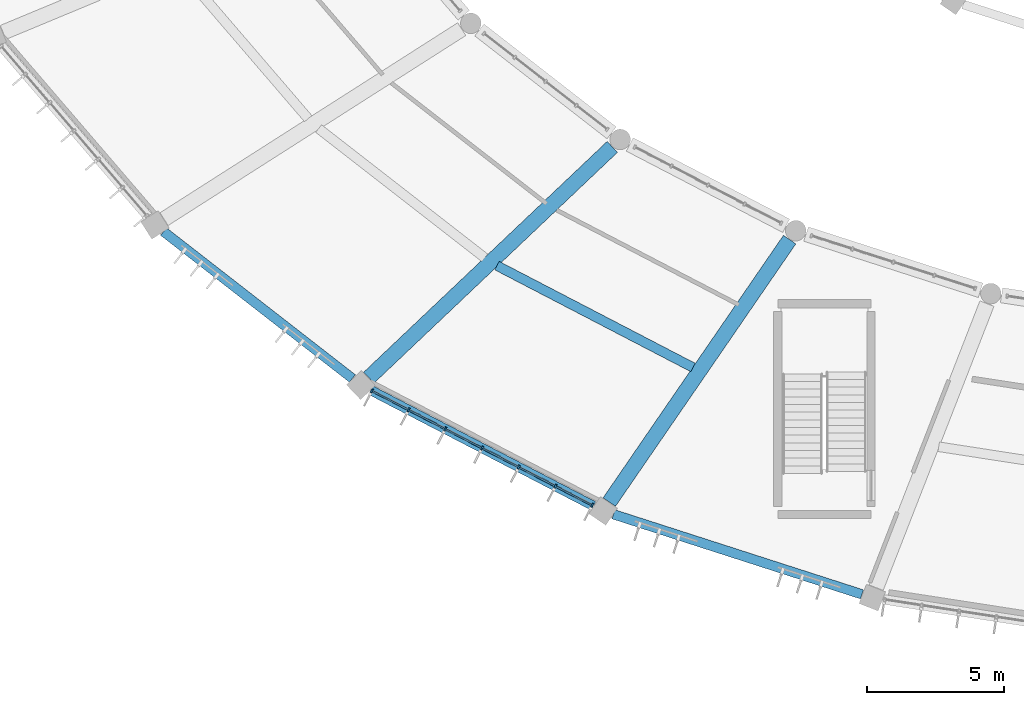
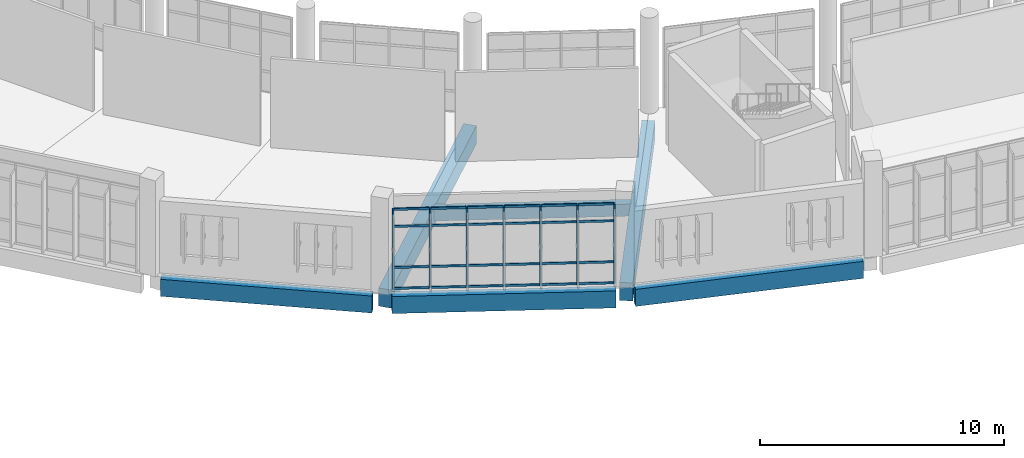
# One storey, part 9 of 179: 31 members, 6 beams, 1 element without a shape of its own.
"""IFC4 building model written with IfcOpenShell, lengths in metres."""

from ifc_helpers import new_model, si_unit, direction, frame, origin, origin_2d, place, context, subcontext, project, spatial, rectangle, extrude, material, layer, layer_set, material_profile, profile_set, type_object, element, aggregate, save


model = new_model("IFC4")

# Units and contexts
model_context = context("Model", 3, precision=1e-05, world=origin(), true_north=direction((0.0, 1.0)))
body_context = subcontext(model_context, "Body", "Model", "MODEL_VIEW")
ifc_project = project(units=[si_unit("LENGTHUNIT", "METRE"), si_unit("AREAUNIT", "SQUARE_METRE"), si_unit("VOLUMEUNIT", "CUBIC_METRE"), si_unit("PLANEANGLEUNIT", "RADIAN"), si_unit("MASSUNIT", "GRAM", prefix="KILO")], contexts=[model_context])

# Site, building, storey
site_placement = place(None, origin())
site = spatial("IfcSite", under=ifc_project, at=site_placement, CompositionType="ELEMENT")
building_placement = place(site_placement, origin())
building = spatial("IfcBuilding", under=site, at=building_placement, Name="Corvandel Quay Wholesale Market", CompositionType="ELEMENT")
storey_placement = place(building_placement, frame((0.0, 0.0, 6.0)))
storey = spatial("IfcBuildingStorey", under=building, at=storey_placement, Name="L01", CompositionType="ELEMENT", Elevation=6.0)

# Curtain wall, members
ifc_material_1 = material(Name="Bronze anodised aluminium and low-E insulated glazing", Category="aluminium")
ifc_layer = layer(ifc_material_1, 0.14990234375)
ifc_layer_set = layer_set([ifc_layer], Name="Bronze anodised aluminium and low-E insulated glazing")
curtain_wall_type = type_object("IfcCurtainWallType", Name="Stick Curtain Wall System CW25 H5250", PredefinedType="NOTDEFINED", material=ifc_layer_set)
curtain_wall_placement = place(storey_placement, origin())
curtain_wall = element("IfcCurtainWall", 1, at=curtain_wall_placement, inside=storey, type_object=curtain_wall_type, Name="Curtain Wall CW-0060", PredefinedType="NOTDEFINED")
ifc_material_2 = material(Name="Anodised aluminium 6063-T6", Category="aluminium")
ifc_material_profile_1 = material_profile(ifc_material_2, rectangle(XDim=0.06494140625, YDim=0.14990234375, at=origin_2d()), Name="ALU-MUL-65x150")
ifc_profile_set_1 = profile_set([ifc_material_profile_1], Name="Anodised aluminium 6063-T6")
member_type_1 = type_object("IfcMemberType", Name="Curtain Wall Mullion ML02 65x150", PredefinedType="MULLION", material=ifc_profile_set_1)
member_1_placement = place(storey_placement, frame((79.976318359375, 9.16845703125, 0.0), z_axis=(0.0, 0.0, 1.0), x_axis=(-0.887332978338, 0.461129250378, 0.0)))
member_1 = element("IfcMember", 2, at=member_1_placement, type_object=member_type_1, Name="Mullion CW-0060-M00", PredefinedType="MULLION", context=body_context, shape_type="SweptSolid", body=[
    extrude(rectangle(XDim=0.06494140625, YDim=0.14990234375, at=origin_2d()), origin(), (0.0, 0.0, 1.0), 3.949951171875),
])
member_2_placement = place(storey_placement, frame((81.317138671875, 8.4716796875, 0.0), z_axis=(0.0, 0.0, 1.0), x_axis=(-0.887332978338, 0.461129250378, 0.0)))
member_2 = element("IfcMember", 3, at=member_2_placement, type_object=member_type_1, Name="Mullion CW-0060-M01", PredefinedType="MULLION", context=body_context, shape_type="SweptSolid", body=[
    extrude(rectangle(XDim=0.06494140625, YDim=0.14990234375, at=origin_2d()), origin(), (0.0, 0.0, 1.0), 3.949951171875),
])
member_3_placement = place(storey_placement, frame((82.658203125, 7.77490234375, 0.0), z_axis=(0.0, 0.0, 1.0), x_axis=(-0.887332978338, 0.461129250378, 0.0)))
member_3 = element("IfcMember", 4, at=member_3_placement, type_object=member_type_1, Name="Mullion CW-0060-M02", PredefinedType="MULLION", context=body_context, shape_type="SweptSolid", body=[
    extrude(rectangle(XDim=0.06494140625, YDim=0.14990234375, at=origin_2d()), origin(), (0.0, 0.0, 1.0), 3.949951171875),
])
member_4_placement = place(storey_placement, frame((83.9990234375, 7.077880859375, 0.0), z_axis=(0.0, 0.0, 1.0), x_axis=(-0.887332978338, 0.461129250378, 0.0)))
member_4 = element("IfcMember", 5, at=member_4_placement, type_object=member_type_1, Name="Mullion CW-0060-M03", PredefinedType="MULLION", context=body_context, shape_type="SweptSolid", body=[
    extrude(rectangle(XDim=0.06494140625, YDim=0.14990234375, at=origin_2d()), origin(), (0.0, 0.0, 1.0), 3.949951171875),
])
member_5_placement = place(storey_placement, frame((85.33984375, 6.381103515625, 0.0), z_axis=(0.0, 0.0, 1.0), x_axis=(-0.887332978338, 0.461129250378, 0.0)))
member_5 = element("IfcMember", 6, at=member_5_placement, type_object=member_type_1, Name="Mullion CW-0060-M04", PredefinedType="MULLION", context=body_context, shape_type="SweptSolid", body=[
    extrude(rectangle(XDim=0.06494140625, YDim=0.14990234375, at=origin_2d()), origin(), (0.0, 0.0, 1.0), 3.949951171875),
])
member_6_placement = place(storey_placement, frame((86.680908203125, 5.684326171875, 0.0), z_axis=(0.0, 0.0, 1.0), x_axis=(-0.887332978338, 0.461129250378, 0.0)))
member_6 = element("IfcMember", 7, at=member_6_placement, type_object=member_type_1, Name="Mullion CW-0060-M05", PredefinedType="MULLION", context=body_context, shape_type="SweptSolid", body=[
    extrude(rectangle(XDim=0.06494140625, YDim=0.14990234375, at=origin_2d()), origin(), (0.0, 0.0, 1.0), 3.949951171875),
])
member_7_placement = place(storey_placement, frame((88.021728515625, 4.987548828125, 0.0), z_axis=(0.0, 0.0, 1.0), x_axis=(-0.887332978338, 0.461129250378, 0.0)))
member_7 = element("IfcMember", 8, at=member_7_placement, type_object=member_type_1, Name="Mullion CW-0060-M06", PredefinedType="MULLION", context=body_context, shape_type="SweptSolid", body=[
    extrude(rectangle(XDim=0.06494140625, YDim=0.14990234375, at=origin_2d()), origin(), (0.0, 0.0, 1.0), 3.949951171875),
])
ifc_material_profile_2 = material_profile(ifc_material_2, rectangle(XDim=0.06005859375, YDim=0.110107421875, at=origin_2d()), Name="ALU-TRN-60x110")
ifc_profile_set_2 = profile_set([ifc_material_profile_2], Name="Anodised aluminium 6063-T6")
member_type_2 = type_object("IfcMemberType", Name="Curtain Wall Transom TR02 60x110", PredefinedType="USERDEFINED", material=ifc_profile_set_2)
member_8_placement = place(storey_placement, frame((80.005126953125, 9.153564453125, 0.0), z_axis=(0.887363258925, -0.461070977953, 0.0), x_axis=(0.461070977953, 0.887363258925, 0.0)))
member_8 = element("IfcMember", 9, at=member_8_placement, type_object=member_type_2, Name="Transom CW-0060-T00-0", ObjectType="TRANSOM", PredefinedType="USERDEFINED", context=body_context, shape_type="SweptSolid", body=[
    extrude(rectangle(XDim=0.06005859375, YDim=0.110107421875, at=origin_2d()), origin(), (0.0, 0.0, 1.0), 1.446044921875),
])
member_9_placement = place(storey_placement, frame((80.005126953125, 9.153564453125, 1.050048828125), z_axis=(0.887363258925, -0.461070977953, 0.0), x_axis=(0.461070977953, 0.887363258925, 0.0)))
member_9 = element("IfcMember", 10, at=member_9_placement, type_object=member_type_2, Name="Transom CW-0060-T00-1", ObjectType="TRANSOM", PredefinedType="USERDEFINED", context=body_context, shape_type="SweptSolid", body=[
    extrude(rectangle(XDim=0.06005859375, YDim=0.110107421875, at=origin_2d()), origin(), (0.0, 0.0, 1.0), 1.446044921875),
])
member_10_placement = place(storey_placement, frame((80.005126953125, 9.153564453125, 3.10009765625), z_axis=(0.887363258925, -0.461070977953, 0.0), x_axis=(0.461070977953, 0.887363258925, 0.0)))
member_10 = element("IfcMember", 11, at=member_10_placement, type_object=member_type_2, Name="Transom CW-0060-T00-2", ObjectType="TRANSOM", PredefinedType="USERDEFINED", context=body_context, shape_type="SweptSolid", body=[
    extrude(rectangle(XDim=0.06005859375, YDim=0.110107421875, at=origin_2d()), origin(), (0.0, 0.0, 1.0), 1.446044921875),
])
member_11_placement = place(storey_placement, frame((80.005126953125, 9.153564453125, 3.949951171875), z_axis=(0.887363258925, -0.461070977953, 0.0), x_axis=(0.461070977953, 0.887363258925, 0.0)))
member_11 = element("IfcMember", 12, at=member_11_placement, type_object=member_type_2, Name="Transom CW-0060-T00-3", ObjectType="TRANSOM", PredefinedType="USERDEFINED", context=body_context, shape_type="SweptSolid", body=[
    extrude(rectangle(XDim=0.06005859375, YDim=0.110107421875, at=origin_2d()), origin(), (0.0, 0.0, 1.0), 1.446044921875),
])
member_12_placement = place(storey_placement, frame((81.345947265625, 8.456787109375, 0.0), z_axis=(0.887330080745, -0.46113482606, 0.0), x_axis=(0.46113482606, 0.887330080745, 0.0)))
member_12 = element("IfcMember", 13, at=member_12_placement, type_object=member_type_2, Name="Transom CW-0060-T01-0", ObjectType="TRANSOM", PredefinedType="USERDEFINED", context=body_context, shape_type="SweptSolid", body=[
    extrude(rectangle(XDim=0.06005859375, YDim=0.110107421875, at=origin_2d()), origin(), (0.0, 0.0, 1.0), 1.446533203125),
])
member_13_placement = place(storey_placement, frame((81.345947265625, 8.456787109375, 1.050048828125), z_axis=(0.887330080745, -0.46113482606, 0.0), x_axis=(0.46113482606, 0.887330080745, 0.0)))
member_13 = element("IfcMember", 14, at=member_13_placement, type_object=member_type_2, Name="Transom CW-0060-T01-1", ObjectType="TRANSOM", PredefinedType="USERDEFINED", context=body_context, shape_type="SweptSolid", body=[
    extrude(rectangle(XDim=0.06005859375, YDim=0.110107421875, at=origin_2d()), origin(), (0.0, 0.0, 1.0), 1.446533203125),
])
member_14_placement = place(storey_placement, frame((81.345947265625, 8.456787109375, 3.10009765625), z_axis=(0.887330080745, -0.46113482606, 0.0), x_axis=(0.46113482606, 0.887330080745, 0.0)))
member_14 = element("IfcMember", 15, at=member_14_placement, type_object=member_type_2, Name="Transom CW-0060-T01-2", ObjectType="TRANSOM", PredefinedType="USERDEFINED", context=body_context, shape_type="SweptSolid", body=[
    extrude(rectangle(XDim=0.06005859375, YDim=0.110107421875, at=origin_2d()), origin(), (0.0, 0.0, 1.0), 1.446533203125),
])
member_15_placement = place(storey_placement, frame((81.345947265625, 8.456787109375, 3.949951171875), z_axis=(0.887330080745, -0.46113482606, 0.0), x_axis=(0.46113482606, 0.887330080745, 0.0)))
member_15 = element("IfcMember", 16, at=member_15_placement, type_object=member_type_2, Name="Transom CW-0060-T01-3", ObjectType="TRANSOM", PredefinedType="USERDEFINED", context=body_context, shape_type="SweptSolid", body=[
    extrude(rectangle(XDim=0.06005859375, YDim=0.110107421875, at=origin_2d()), origin(), (0.0, 0.0, 1.0), 1.446533203125),
])
member_16_placement = place(storey_placement, frame((82.68701171875, 7.759765625, 0.0), z_axis=(0.887363258925, -0.461070977953, 0.0), x_axis=(0.461070977953, 0.887363258925, 0.0)))
member_16 = element("IfcMember", 17, at=member_16_placement, type_object=member_type_2, Name="Transom CW-0060-T02-0", ObjectType="TRANSOM", PredefinedType="USERDEFINED", context=body_context, shape_type="SweptSolid", body=[
    extrude(rectangle(XDim=0.06005859375, YDim=0.110107421875, at=origin_2d()), origin(), (0.0, 0.0, 1.0), 1.446044921875),
])
member_17_placement = place(storey_placement, frame((82.68701171875, 7.759765625, 1.050048828125), z_axis=(0.887363258925, -0.461070977953, 0.0), x_axis=(0.461070977953, 0.887363258925, 0.0)))
member_17 = element("IfcMember", 18, at=member_17_placement, type_object=member_type_2, Name="Transom CW-0060-T02-1", ObjectType="TRANSOM", PredefinedType="USERDEFINED", context=body_context, shape_type="SweptSolid", body=[
    extrude(rectangle(XDim=0.06005859375, YDim=0.110107421875, at=origin_2d()), origin(), (0.0, 0.0, 1.0), 1.446044921875),
])
member_18_placement = place(storey_placement, frame((82.68701171875, 7.759765625, 3.10009765625), z_axis=(0.887363258925, -0.461070977953, 0.0), x_axis=(0.461070977953, 0.887363258925, 0.0)))
member_18 = element("IfcMember", 19, at=member_18_placement, type_object=member_type_2, Name="Transom CW-0060-T02-2", ObjectType="TRANSOM", PredefinedType="USERDEFINED", context=body_context, shape_type="SweptSolid", body=[
    extrude(rectangle(XDim=0.06005859375, YDim=0.110107421875, at=origin_2d()), origin(), (0.0, 0.0, 1.0), 1.446044921875),
])
member_19_placement = place(storey_placement, frame((82.68701171875, 7.759765625, 3.949951171875), z_axis=(0.887363258925, -0.461070977953, 0.0), x_axis=(0.461070977953, 0.887363258925, 0.0)))
member_19 = element("IfcMember", 20, at=member_19_placement, type_object=member_type_2, Name="Transom CW-0060-T02-3", ObjectType="TRANSOM", PredefinedType="USERDEFINED", context=body_context, shape_type="SweptSolid", body=[
    extrude(rectangle(XDim=0.06005859375, YDim=0.110107421875, at=origin_2d()), origin(), (0.0, 0.0, 1.0), 1.446044921875),
])
member_20_placement = place(storey_placement, frame((84.02783203125, 7.06298828125, 0.0), z_axis=(0.887363258925, -0.461070977953, 0.0), x_axis=(0.461070977953, 0.887363258925, 0.0)))
member_20 = element("IfcMember", 21, at=member_20_placement, type_object=member_type_2, Name="Transom CW-0060-T03-0", ObjectType="TRANSOM", PredefinedType="USERDEFINED", context=body_context, shape_type="SweptSolid", body=[
    extrude(rectangle(XDim=0.06005859375, YDim=0.110107421875, at=origin_2d()), origin(), (0.0, 0.0, 1.0), 1.446044921875),
])
member_21_placement = place(storey_placement, frame((84.02783203125, 7.06298828125, 1.050048828125), z_axis=(0.887363258925, -0.461070977953, 0.0), x_axis=(0.461070977953, 0.887363258925, 0.0)))
member_21 = element("IfcMember", 22, at=member_21_placement, type_object=member_type_2, Name="Transom CW-0060-T03-1", ObjectType="TRANSOM", PredefinedType="USERDEFINED", context=body_context, shape_type="SweptSolid", body=[
    extrude(rectangle(XDim=0.06005859375, YDim=0.110107421875, at=origin_2d()), origin(), (0.0, 0.0, 1.0), 1.446044921875),
])
member_22_placement = place(storey_placement, frame((84.02783203125, 7.06298828125, 3.10009765625), z_axis=(0.887363258925, -0.461070977953, 0.0), x_axis=(0.461070977953, 0.887363258925, 0.0)))
member_22 = element("IfcMember", 23, at=member_22_placement, type_object=member_type_2, Name="Transom CW-0060-T03-2", ObjectType="TRANSOM", PredefinedType="USERDEFINED", context=body_context, shape_type="SweptSolid", body=[
    extrude(rectangle(XDim=0.06005859375, YDim=0.110107421875, at=origin_2d()), origin(), (0.0, 0.0, 1.0), 1.446044921875),
])
member_23_placement = place(storey_placement, frame((84.02783203125, 7.06298828125, 3.949951171875), z_axis=(0.887363258925, -0.461070977953, 0.0), x_axis=(0.461070977953, 0.887363258925, 0.0)))
member_23 = element("IfcMember", 24, at=member_23_placement, type_object=member_type_2, Name="Transom CW-0060-T03-3", ObjectType="TRANSOM", PredefinedType="USERDEFINED", context=body_context, shape_type="SweptSolid", body=[
    extrude(rectangle(XDim=0.06005859375, YDim=0.110107421875, at=origin_2d()), origin(), (0.0, 0.0, 1.0), 1.446044921875),
])
member_24_placement = place(storey_placement, frame((85.36865234375, 6.3662109375, 0.0), z_axis=(0.887330080745, -0.46113482606, 0.0), x_axis=(0.46113482606, 0.887330080745, 0.0)))
member_24 = element("IfcMember", 25, at=member_24_placement, type_object=member_type_2, Name="Transom CW-0060-T04-0", ObjectType="TRANSOM", PredefinedType="USERDEFINED", context=body_context, shape_type="SweptSolid", body=[
    extrude(rectangle(XDim=0.06005859375, YDim=0.110107421875, at=origin_2d()), origin(), (0.0, 0.0, 1.0), 1.446533203125),
])
member_25_placement = place(storey_placement, frame((85.36865234375, 6.3662109375, 1.050048828125), z_axis=(0.887330080745, -0.46113482606, 0.0), x_axis=(0.46113482606, 0.887330080745, 0.0)))
member_25 = element("IfcMember", 26, at=member_25_placement, type_object=member_type_2, Name="Transom CW-0060-T04-1", ObjectType="TRANSOM", PredefinedType="USERDEFINED", context=body_context, shape_type="SweptSolid", body=[
    extrude(rectangle(XDim=0.06005859375, YDim=0.110107421875, at=origin_2d()), origin(), (0.0, 0.0, 1.0), 1.446533203125),
])
member_26_placement = place(storey_placement, frame((85.36865234375, 6.3662109375, 3.10009765625), z_axis=(0.887330080745, -0.46113482606, 0.0), x_axis=(0.46113482606, 0.887330080745, 0.0)))
member_26 = element("IfcMember", 27, at=member_26_placement, type_object=member_type_2, Name="Transom CW-0060-T04-2", ObjectType="TRANSOM", PredefinedType="USERDEFINED", context=body_context, shape_type="SweptSolid", body=[
    extrude(rectangle(XDim=0.06005859375, YDim=0.110107421875, at=origin_2d()), origin(), (0.0, 0.0, 1.0), 1.446533203125),
])
member_27_placement = place(storey_placement, frame((85.36865234375, 6.3662109375, 3.949951171875), z_axis=(0.887330080745, -0.46113482606, 0.0), x_axis=(0.46113482606, 0.887330080745, 0.0)))
member_27 = element("IfcMember", 28, at=member_27_placement, type_object=member_type_2, Name="Transom CW-0060-T04-3", ObjectType="TRANSOM", PredefinedType="USERDEFINED", context=body_context, shape_type="SweptSolid", body=[
    extrude(rectangle(XDim=0.06005859375, YDim=0.110107421875, at=origin_2d()), origin(), (0.0, 0.0, 1.0), 1.446533203125),
])
member_28_placement = place(storey_placement, frame((86.709716796875, 5.669189453125, 0.0), z_axis=(0.887363258925, -0.461070977953, 0.0), x_axis=(0.461070977953, 0.887363258925, 0.0)))
member_28 = element("IfcMember", 29, at=member_28_placement, type_object=member_type_2, Name="Transom CW-0060-T05-0", ObjectType="TRANSOM", PredefinedType="USERDEFINED", context=body_context, shape_type="SweptSolid", body=[
    extrude(rectangle(XDim=0.06005859375, YDim=0.110107421875, at=origin_2d()), origin(), (0.0, 0.0, 1.0), 1.446044921875),
])
member_29_placement = place(storey_placement, frame((86.709716796875, 5.669189453125, 1.050048828125), z_axis=(0.887363258925, -0.461070977953, 0.0), x_axis=(0.461070977953, 0.887363258925, 0.0)))
member_29 = element("IfcMember", 30, at=member_29_placement, type_object=member_type_2, Name="Transom CW-0060-T05-1", ObjectType="TRANSOM", PredefinedType="USERDEFINED", context=body_context, shape_type="SweptSolid", body=[
    extrude(rectangle(XDim=0.06005859375, YDim=0.110107421875, at=origin_2d()), origin(), (0.0, 0.0, 1.0), 1.446044921875),
])
member_30_placement = place(storey_placement, frame((86.709716796875, 5.669189453125, 3.10009765625), z_axis=(0.887363258925, -0.461070977953, 0.0), x_axis=(0.461070977953, 0.887363258925, 0.0)))
member_30 = element("IfcMember", 31, at=member_30_placement, type_object=member_type_2, Name="Transom CW-0060-T05-2", ObjectType="TRANSOM", PredefinedType="USERDEFINED", context=body_context, shape_type="SweptSolid", body=[
    extrude(rectangle(XDim=0.06005859375, YDim=0.110107421875, at=origin_2d()), origin(), (0.0, 0.0, 1.0), 1.446044921875),
])
member_31_placement = place(storey_placement, frame((86.709716796875, 5.669189453125, 3.949951171875), z_axis=(0.887363258925, -0.461070977953, 0.0), x_axis=(0.461070977953, 0.887363258925, 0.0)))
member_31 = element("IfcMember", 32, at=member_31_placement, type_object=member_type_2, Name="Transom CW-0060-T05-3", ObjectType="TRANSOM", PredefinedType="USERDEFINED", context=body_context, shape_type="SweptSolid", body=[
    extrude(rectangle(XDim=0.06005859375, YDim=0.110107421875, at=origin_2d()), origin(), (0.0, 0.0, 1.0), 1.446044921875),
])
aggregate(curtain_wall, [member_1, member_2, member_3, member_4, member_5, member_6, member_7, member_8, member_9, member_10, member_11, member_12, member_13, member_14, member_15, member_16, member_17, member_18, member_19, member_20, member_21, member_22, member_23, member_24, member_25, member_26, member_27, member_28, member_29, member_30, member_31])

# Beams
ifc_material_3 = material(Name="Precast concrete C45/55", Category="concrete")
ifc_material_profile_3 = material_profile(ifc_material_3, rectangle(XDim=0.35009765625, YDim=0.85009765625, at=origin_2d()), Name="PC-SPN-350x850")
ifc_profile_set_3 = profile_set([ifc_material_profile_3], Name="Precast concrete C45/55")
beam_type_1 = type_object("IfcBeamType", Name="Perimeter Precast Spandrel SP01 350x850", PredefinedType="SPANDREL", material=ifc_profile_set_3)
beam_1_placement = place(storey_placement, frame((72.36669921875, 14.984619140625, -0.72509765625), z_axis=(0.789310099269, -0.613994761535, 0.0), x_axis=(0.613994761535, 0.789310099269, 0.0)))
element("IfcBeam", 33, at=beam_1_placement, inside=storey, type_object=beam_type_1, Name="Beam BM-0241", PredefinedType="SPANDREL", context=body_context, shape_type="SweptSolid", body=[
    extrude(rectangle(XDim=0.35009765625, YDim=0.85009765625, at=origin_2d()), origin(), (0.0, 0.0, 1.0), 8.73974609375),
])
beam_2_placement = place(storey_placement, frame((79.927490234375, 9.19384765625, -0.72509765625), z_axis=(0.887337425386, -0.461120692997, 0.0), x_axis=(0.461120692997, 0.887337425386, 0.0)))
element("IfcBeam", 34, at=beam_2_placement, inside=storey, type_object=beam_type_1, Name="Beam BM-0253", PredefinedType="SPANDREL", context=body_context, shape_type="SweptSolid", body=[
    extrude(rectangle(XDim=0.35009765625, YDim=0.85009765625, at=origin_2d()), origin(), (0.0, 0.0, 1.0), 9.177001953125),
])
beam_3_placement = place(storey_placement, frame((88.797119140625, 4.658935546875, -0.72509765625), z_axis=(0.95182775773, -0.306633200446, 0.0), x_axis=(0.306633200446, 0.95182775773, 0.0)))
element("IfcBeam", 35, at=beam_3_placement, inside=storey, type_object=beam_type_1, Name="Beam BM-0265", PredefinedType="SPANDREL", context=body_context, shape_type="SweptSolid", body=[
    extrude(rectangle(XDim=0.35009765625, YDim=0.85009765625, at=origin_2d()), origin(), (0.0, 0.0, 1.0), 9.53515625),
])
ifc_material_profile_4 = material_profile(ifc_material_3, rectangle(XDim=0.550048828125, YDim=0.89990234375, at=origin_2d()), Name="PC-GIR-550x900")
ifc_profile_set_4 = profile_set([ifc_material_profile_4], Name="Precast concrete C45/55")
beam_type_2 = type_object("IfcBeamType", Name="Produce Hall Radial Girder G03 550x900", PredefinedType="USERDEFINED", material=ifc_profile_set_4)
beam_4_placement = place(storey_placement, frame((79.86376953125, 9.647705078125, -0.75), z_axis=(0.72578301485, 0.687923698789, 0.0), x_axis=(-0.687923698789, 0.72578301485, 0.0)))
element("IfcBeam", 36, at=beam_4_placement, inside=storey, type_object=beam_type_2, Name="Beam BM-0255", ObjectType="GIRDER", PredefinedType="USERDEFINED", context=body_context, shape_type="SweptSolid", body=[
    extrude(rectangle(XDim=0.550048828125, YDim=0.89990234375, at=origin_2d()), origin(), (0.0, 0.0, 1.0), 12.25244140625),
])
beam_5_placement = place(storey_placement, frame((88.644775390625, 5.10546875, -0.75), z_axis=(0.566411220677, 0.824122763362, 0.0), x_axis=(-0.824122763362, 0.566411220677, 0.0)))
element("IfcBeam", 37, at=beam_5_placement, inside=storey, type_object=beam_type_2, Name="Beam BM-0267", ObjectType="GIRDER", PredefinedType="USERDEFINED", context=body_context, shape_type="SweptSolid", body=[
    extrude(rectangle(XDim=0.550048828125, YDim=0.89990234375, at=origin_2d()), origin(), (0.0, 0.0, 1.0), 11.630615234375),
])
ifc_material_profile_5 = material_profile(ifc_material_3, rectangle(XDim=0.35009765625, YDim=0.60009765625, at=origin_2d()), Name="PC-BM-350x600")
ifc_profile_set_5 = profile_set([ifc_material_profile_5], Name="Precast concrete C45/55")
beam_type_3 = type_object("IfcBeamType", Name="Trading Gallery Secondary Beam B02 350x600", PredefinedType="BEAM", material=ifc_profile_set_5)
beam_6_placement = place(storey_placement, frame((84.545166015625, 13.73974609375, -0.60009765625), z_axis=(0.887357981749, -0.461081134104, 0.0), x_axis=(0.461081134104, 0.887357981749, 0.0)))
element("IfcBeam", 38, at=beam_6_placement, inside=storey, type_object=beam_type_3, Name="Beam BM-0256", PredefinedType="BEAM", context=body_context, shape_type="SweptSolid", body=[
    extrude(rectangle(XDim=0.35009765625, YDim=0.60009765625, at=origin_2d()), origin(), (0.0, 0.0, 1.0), 8.06689453125),
])

save(model, "model.ifc")
